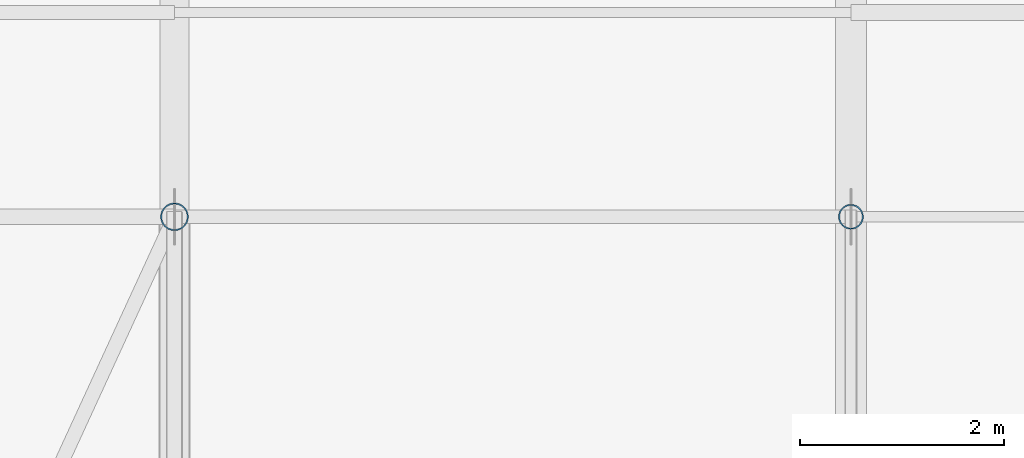
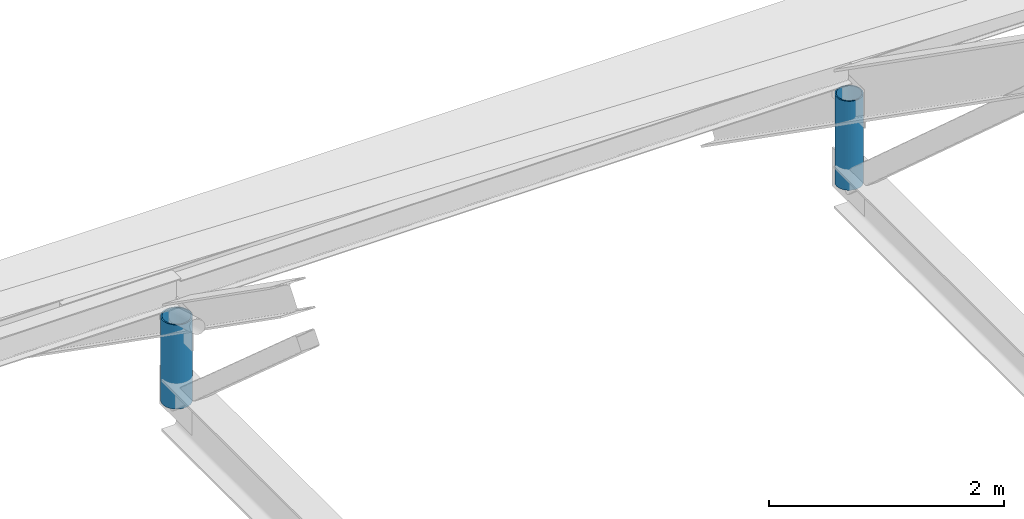
# One storey, part 86 of 134: 2 members.
"""IFC4 building model written with IfcOpenShell, lengths in metres."""

from ifc_helpers import new_model, si_unit, direction, frame, origin, origin_2d, place, context, subcontext, project, spatial, hollow_circle, extrude, material, material_profile, profile_set, type_object, element, save


model = new_model("IFC4")

# Units and contexts
model_context = context("Model", 3, precision=1e-05, world=origin(), true_north=direction((0.0, 1.0)))
body_context = subcontext(model_context, "Body", "Model", "MODEL_VIEW")
ifc_project = project(units=[si_unit("LENGTHUNIT", "METRE"), si_unit("AREAUNIT", "SQUARE_METRE"), si_unit("VOLUMEUNIT", "CUBIC_METRE"), si_unit("PLANEANGLEUNIT", "RADIAN"), si_unit("MASSUNIT", "GRAM", prefix="KILO")], contexts=[model_context])

# Site, building, storey
site_placement = place(None, origin())
site = spatial("IfcSite", under=ifc_project, at=site_placement, CompositionType="ELEMENT")
building_placement = place(site_placement, origin())
building = spatial("IfcBuilding", under=site, at=building_placement, Name="Asteropetra Specialist Clinic", CompositionType="ELEMENT")
storey_placement = place(building_placement, frame((0.0, 0.0, 8.5)))
storey = spatial("IfcBuildingStorey", under=building, at=storey_placement, Name="L02", CompositionType="ELEMENT", Elevation=8.5)

# Members
ifc_material_1 = material(Name="Steel S355", Category="steel")
ifc_material_profile_1 = material_profile(ifc_material_1, hollow_circle(Radius=0.122314453125, WallThickness=0.012451171875, at=origin_2d()), Name="CHS 244.5x12.5")
ifc_profile_set_1 = profile_set([ifc_material_profile_1], Name="Steel S355")
member_type_1 = type_object("IfcMemberType", Name="TR-STR-CHS244", PredefinedType="STRUT", material=ifc_profile_set_1)
member_1_placement = place(storey_placement, frame((126.6201171875, 105.60009765625, 0.419921875), z_axis=(0.0, 0.0, 1.0), x_axis=(1.0, 0.0, 0.0)))
element("IfcMember", 1, at=member_1_placement, inside=storey, type_object=member_type_1, Name="Truss Web Strut TRV1-V07-6", PredefinedType="STRUT", context=body_context, shape_type="SweptSolid", body=[
    extrude(hollow_circle(Radius=0.122314453125, WallThickness=0.012451171875, at=origin_2d()), origin(), (0.0, 0.0, 1.0), 0.9267578125),
])
ifc_material_2 = material(Name="Steel S355", Category="steel")
ifc_material_profile_2 = material_profile(ifc_material_2, hollow_circle(Radius=0.136474609375, WallThickness=0.012451171875, at=origin_2d()), Name="CHS 273.0x12.5")
ifc_profile_set_2 = profile_set([ifc_material_profile_2], Name="Steel S355")
member_type_2 = type_object("IfcMemberType", Name="TR-STR-CHS273", PredefinedType="STRUT", material=ifc_profile_set_2)
member_2_placement = place(storey_placement, frame((120.0, 105.60009765625, 0.469970703125), z_axis=(0.0, 0.0, 1.0), x_axis=(1.0, 0.0, 0.0)))
element("IfcMember", 2, at=member_2_placement, inside=storey, type_object=member_type_2, Name="Truss Web Strut TRV1-V06-6", PredefinedType="STRUT", context=body_context, shape_type="SweptSolid", body=[
    extrude(hollow_circle(Radius=0.136474609375, WallThickness=0.012451171875, at=origin_2d()), origin(), (0.0, 0.0, 1.0), 0.876708984375),
])

save(model, "model.ifc")
